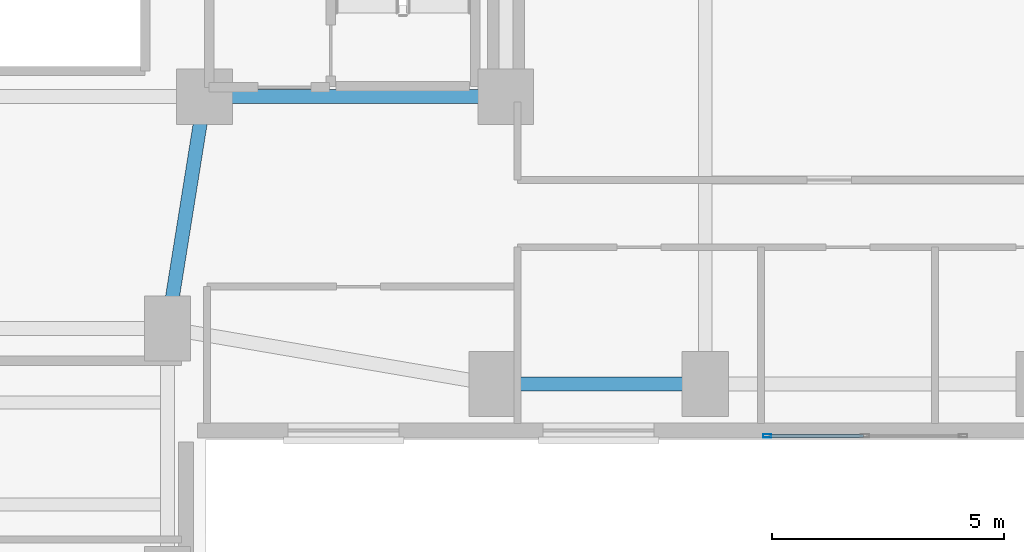
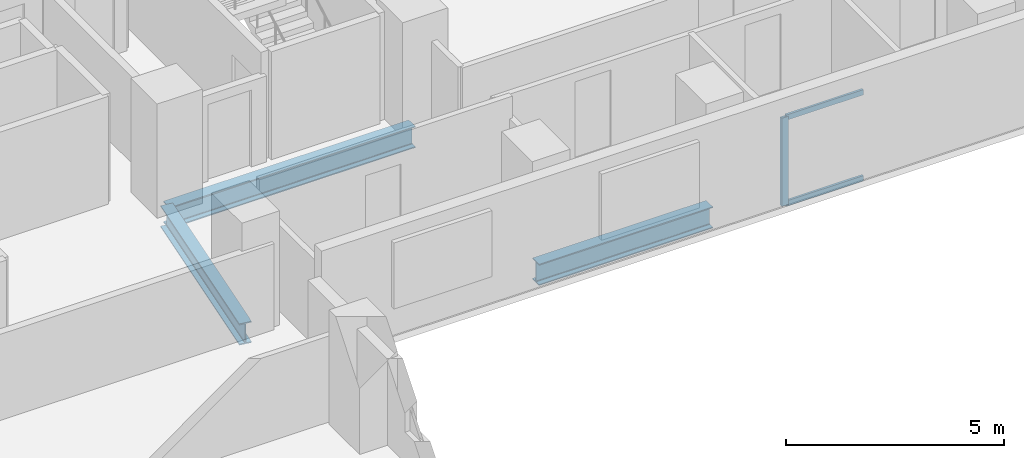
# One storey, part 4 of 17: 3 beams, 3 members, 1 element without a shape of its own.
"""IFC4 building model written with IfcOpenShell, lengths in metres."""

from ifc_helpers import new_model, si_unit, direction, frame, origin, origin_2d, place, context, subcontext, project, spatial, hollow_rectangle, i_section, extrude, material, material_profile, profile_set, type_object, element, aggregate, save


model = new_model("IFC4")

# Units and contexts
model_context = context("Model", 3, precision=1e-05, world=origin(), true_north=direction((0.0, 1.0)))
body_context = subcontext(model_context, "Body", "Model", "MODEL_VIEW")
ifc_project = project(units=[si_unit("LENGTHUNIT", "METRE"), si_unit("AREAUNIT", "SQUARE_METRE"), si_unit("VOLUMEUNIT", "CUBIC_METRE"), si_unit("PLANEANGLEUNIT", "RADIAN"), si_unit("MASSUNIT", "GRAM", prefix="KILO")], contexts=[model_context])

# Site, building, storey
site_placement = place(None, origin())
site = spatial("IfcSite", under=ifc_project, at=site_placement, CompositionType="ELEMENT")
building_placement = place(site_placement, origin())
building = spatial("IfcBuilding", under=site, at=building_placement, Name="Kuzgunbayir Cultural Tower", CompositionType="ELEMENT")
storey_placement = place(building_placement, frame((0.0, 0.0, 50.0)))
storey = spatial("IfcBuildingStorey", under=building, at=storey_placement, Name="L13", CompositionType="ELEMENT", Elevation=50.0)

# Beams
ifc_material_1 = material(Name="Steel S355J2", Category="steel")
ifc_material_profile_1 = material_profile(ifc_material_1, i_section(OverallWidth=0.300048828125, OverallDepth=0.60009765625, WebThickness=0.015380859375, FlangeThickness=0.030029296875, FilletRadius=0.027099609375, at=origin_2d()), Name="HEB 600")
ifc_profile_set_1 = profile_set([ifc_material_profile_1], Name="Steel S355J2")
beam_type_1 = type_object("IfcBeamType", Name="BM-EXT-HEB600", PredefinedType="BEAM", material=ifc_profile_set_1)
beam_1_placement = place(storey_placement, frame((26.60009765625, 27.60009765625, -0.47998046875), z_axis=(1.0, 0.0, 0.0), x_axis=(0.0, 1.0, 0.0)))
element("IfcBeam", 1, at=beam_1_placement, inside=storey, type_object=beam_type_1, Name="L13 Wing B South Girder 1", PredefinedType="BEAM", context=body_context, shape_type="SweptSolid", body=[
    extrude(i_section(OverallWidth=0.300048828125, OverallDepth=0.60009765625, WebThickness=0.015380859375, FlangeThickness=0.030029296875, FilletRadius=0.027099609375, at=origin_2d()), origin(), (0.0, 0.0, 1.0), 4.599853515625),
])
ifc_material_profile_2 = material_profile(ifc_material_1, i_section(OverallWidth=0.300048828125, OverallDepth=0.60009765625, WebThickness=0.015380859375, FlangeThickness=0.030029296875, FilletRadius=0.027099609375, at=origin_2d()), Name="HEB 600")
ifc_profile_set_2 = profile_set([ifc_material_profile_2], Name="Steel S355J2")
beam_type_2 = type_object("IfcBeamType", Name="BM-GIR-HEB600", PredefinedType="BEAM", material=ifc_profile_set_2)
beam_2_placement = place(storey_placement, frame((20.39990234375, 33.800048828125, -0.47998046875), z_axis=(1.0, 0.0, 0.0), x_axis=(0.0, 1.0, 0.0)))
element("IfcBeam", 2, at=beam_2_placement, inside=storey, type_object=beam_type_2, Name="L13 Core South Girder 3", PredefinedType="BEAM", context=body_context, shape_type="SweptSolid", body=[
    extrude(i_section(OverallWidth=0.300048828125, OverallDepth=0.60009765625, WebThickness=0.015380859375, FlangeThickness=0.030029296875, FilletRadius=0.027099609375, at=origin_2d()), origin(), (0.0, 0.0, 1.0), 6.5),
])
beam_3_placement = place(storey_placement, frame((19.60009765625, 28.800048828125, -0.47998046875), z_axis=(0.157952891656, 0.987446648694, 0.0), x_axis=(-0.987446648694, 0.157952891656, 0.0)))
element("IfcBeam", 3, at=beam_3_placement, inside=storey, type_object=beam_type_2, Name="L13 Wing A East Core Floor Girder", PredefinedType="BEAM", context=body_context, shape_type="SweptSolid", body=[
    extrude(i_section(OverallWidth=0.300048828125, OverallDepth=0.60009765625, WebThickness=0.015380859375, FlangeThickness=0.030029296875, FilletRadius=0.027099609375, at=origin_2d()), origin(), (0.0, 0.0, 1.0), 5.0634765625),
])

# Curtain wall, members
ifc_material_2 = material(Name="Anodised Aluminium Framing", Category="aluminium")
curtain_wall_type = type_object("IfcCurtainWallType", Name="CW03-T1-OFFICE", PredefinedType="NOTDEFINED", material=ifc_material_2)
curtain_wall_placement = place(storey_placement, origin())
curtain_wall = element("IfcCurtainWall", 4, at=curtain_wall_placement, inside=storey, type_object=curtain_wall_type, Name="L13 Wing B South Feature Curtain Wall", PredefinedType="NOTDEFINED")
ifc_material_profile_3 = material_profile(ifc_material_2, hollow_rectangle(XDim=0.074951171875, YDim=0.179931640625, WallThickness=0.0048828125, at=origin_2d()), Name="RHS 180x75x5")
ifc_profile_set_3 = profile_set([ifc_material_profile_3], Name="Anodised Aluminium Framing")
member_type_1 = type_object("IfcMemberType", Name="MEM-CW-MULLION-180", PredefinedType="MULLION", material=ifc_profile_set_3)
member_1_placement = place(storey_placement, frame((32.53759765625, 26.47998046875, 0.0), z_axis=(0.0, 0.0, 1.0), x_axis=(0.0, 1.0, 0.0)))
member_1 = element("IfcMember", 5, at=member_1_placement, type_object=member_type_1, Name="CW03 mullion 1", PredefinedType="MULLION", context=body_context, shape_type="SweptSolid", body=[
    extrude(hollow_rectangle(XDim=0.074951171875, YDim=0.179931640625, WallThickness=0.0048828125, at=origin_2d()), origin(), (0.0, 0.0, 1.0), 2.469970703125),
])
ifc_material_profile_4 = material_profile(ifc_material_2, hollow_rectangle(XDim=0.06005859375, YDim=0.14990234375, WallThickness=0.00390625, at=origin_2d()), Name="RHS 150x60x4")
ifc_profile_set_4 = profile_set([ifc_material_profile_4], Name="Anodised Aluminium Framing")
member_type_2 = type_object("IfcMemberType", Name="MEM-CW-TRANSOM-150", PredefinedType="USERDEFINED", material=ifc_profile_set_4)
member_2_placement = place(storey_placement, frame((32.574951171875, 26.47998046875, 0.030029296875), z_axis=(1.0, 0.0, 0.0), x_axis=(0.0, 1.0, 0.0)))
member_2 = element("IfcMember", 6, at=member_2_placement, type_object=member_type_2, Name="CW03 transom 1.1", ObjectType="TRANSOM", PredefinedType="USERDEFINED", context=body_context, shape_type="SweptSolid", body=[
    extrude(hollow_rectangle(XDim=0.06005859375, YDim=0.14990234375, WallThickness=0.00390625, at=origin_2d()), origin(), (0.0, 0.0, 1.0), 2.03759765625),
])
member_3_placement = place(storey_placement, frame((32.574951171875, 26.47998046875, 2.43994140625), z_axis=(1.0, 0.0, 0.0), x_axis=(0.0, 1.0, 0.0)))
member_3 = element("IfcMember", 7, at=member_3_placement, type_object=member_type_2, Name="CW03 transom 1.2", ObjectType="TRANSOM", PredefinedType="USERDEFINED", context=body_context, shape_type="SweptSolid", body=[
    extrude(hollow_rectangle(XDim=0.06005859375, YDim=0.14990234375, WallThickness=0.00390625, at=origin_2d()), origin(), (0.0, 0.0, 1.0), 2.03759765625),
])
aggregate(curtain_wall, [member_1, member_2, member_3])

save(model, "model.ifc")
